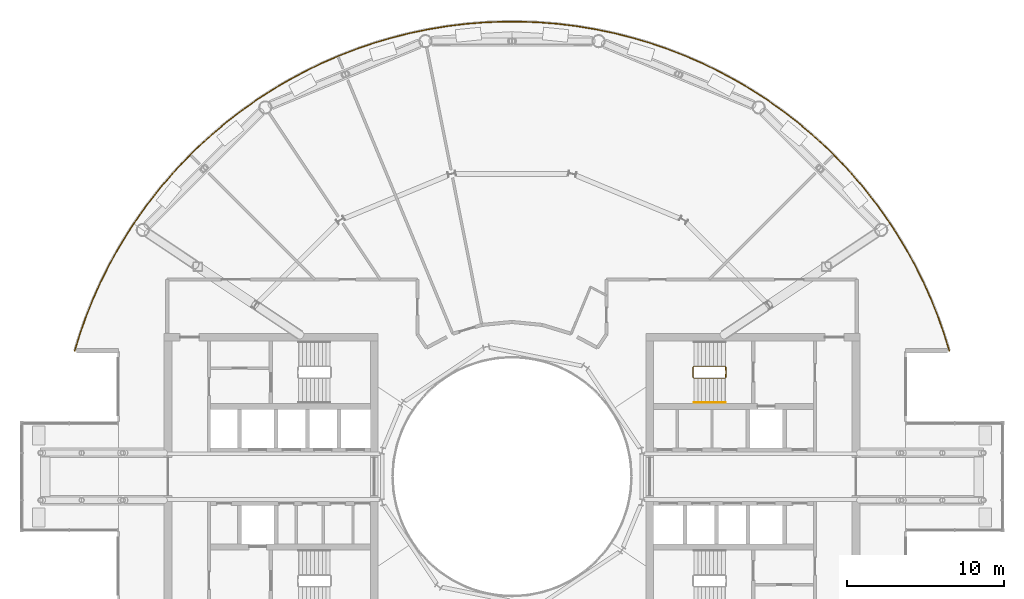
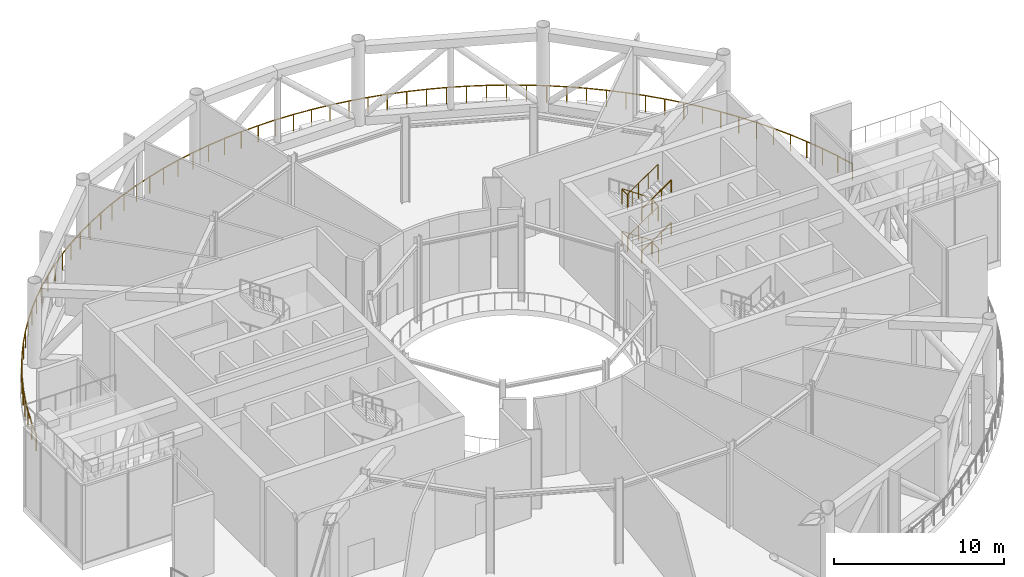
# One storey, part 23 of 24: 4 railings.
"""IFC4 building model written with IfcOpenShell, lengths in metres."""

from ifc_helpers import new_model, si_unit, direction, frame, origin, origin_2d, place, context, subcontext, project, spatial, circle, extrude, material, type_object, element, save


model = new_model("IFC4")

# Units and contexts
model_context = context("Model", 3, precision=1e-05, world=origin(), true_north=direction((0.0, 1.0)))
body_context = subcontext(model_context, "Body", "Model", "MODEL_VIEW")
ifc_project = project(units=[si_unit("LENGTHUNIT", "METRE"), si_unit("AREAUNIT", "SQUARE_METRE"), si_unit("VOLUMEUNIT", "CUBIC_METRE"), si_unit("PLANEANGLEUNIT", "RADIAN"), si_unit("MASSUNIT", "GRAM", prefix="KILO")], contexts=[model_context])

# Site, building, storey
site_placement = place(None, origin())
site = spatial("IfcSite", under=ifc_project, at=site_placement, CompositionType="ELEMENT")
building_placement = place(site_placement, origin())
building = spatial("IfcBuilding", under=site, at=building_placement, Name="Maasbend Ring Residences", CompositionType="ELEMENT")
storey_placement = place(building_placement, frame((0.0, 0.0, 179.89990234375)))
storey = spatial("IfcBuildingStorey", under=building, at=storey_placement, Name="L52", CompositionType="ELEMENT", Elevation=179.89990234375)

# Railings
ifc_material_1 = material(Name="Stainless steel 316 and glass", Category="steel")
railing_type_1 = type_object("IfcRailingType", Name="RL-GUARD", PredefinedType="GUARDRAIL", material=ifc_material_1)
railing_1_placement = place(storey_placement, frame((27.778564453125, 7.972412109375, 0.0)))
element("IfcRailing", 1, at=railing_1_placement, inside=storey, type_object=railing_type_1, Name="Garden guard outer 1", PredefinedType="GUARDRAIL", context=body_context, shape_type="SweptSolid", body=[
    extrude(circle(Radius=0.02490234375, at=origin_2d()), frame((0.0, 0.0, 1.1748046875), z_axis=(-0.295504624123, 0.95534130923, 0.0), x_axis=(-0.95534130923, -0.295504624123, 0.0)), (0.0, 0.0, 1.0), 1.184814453125),
    extrude(circle(Radius=0.02490234375, at=origin_2d()), frame((-0.35009765625, 1.1318359375, 1.1748046875), z_axis=(-0.334285842511, 0.94247173724, 0.0), x_axis=(-0.94247173724, -0.334285842511, 0.0)), (0.0, 0.0, 1.0), 1.1845703125),
    extrude(circle(Radius=0.02490234375, at=origin_2d()), frame((-0.74609375, 2.248291015625, 1.1748046875), z_axis=(-0.372847180885, 0.927892763042, 0.0), x_axis=(-0.927892763042, -0.372847180885, 0.0)), (0.0, 0.0, 1.0), 1.1845703125),
    extrude(circle(Radius=0.02490234375, at=origin_2d()), frame((-1.187744140625, 3.347412109375, 1.1748046875), z_axis=(-0.410493199792, 0.911863659175, 0.0), x_axis=(-0.911863659175, -0.410493199792, 0.0)), (0.0, 0.0, 1.0), 1.184814453125),
    extrude(circle(Radius=0.02490234375, at=origin_2d()), frame((-1.674072265625, 4.427734375, 1.1748046875), z_axis=(-0.447460908245, 0.894303491882, 0.0), x_axis=(-0.894303491882, -0.447460908245, 0.0)), (0.0, 0.0, 1.0), 1.1845703125),
    extrude(circle(Radius=0.02490234375, at=origin_2d()), frame((-2.2041015625, 5.487060546875, 1.1748046875), z_axis=(-0.483839805506, 0.875156581766, 0.0), x_axis=(-0.875156581766, -0.483839805506, 0.0)), (0.0, 0.0, 1.0), 1.184814453125),
    extrude(circle(Radius=0.02490234375, at=origin_2d()), frame((-2.77734375, 6.52392578125, 1.1748046875), z_axis=(-0.51915559987, 0.854679743017, 0.0), x_axis=(-0.854679743017, -0.51915559987, 0.0)), (0.0, 0.0, 1.0), 1.1845703125),
    extrude(circle(Radius=0.02490234375, at=origin_2d()), frame((-3.392333984375, 7.536376953125, 1.1748046875), z_axis=(-0.553796190877, 0.832652255729, 0.0), x_axis=(-0.832652255729, -0.553796190877, 0.0)), (0.0, 0.0, 1.0), 1.1845703125),
    extrude(circle(Radius=0.02490234375, at=origin_2d()), frame((-4.04833984375, 8.522705078125, 1.1748046875), z_axis=(-0.58749759803, 0.809225909317, 0.0), x_axis=(-0.809225909317, -0.58749759803, 0.0)), (0.0, 0.0, 1.0), 1.184814453125),
    extrude(circle(Radius=0.02490234375, at=origin_2d()), frame((-4.744384765625, 9.4814453125, 1.1748046875), z_axis=(-0.620185444157, 0.78445523445, 0.0), x_axis=(-0.78445523445, -0.620185444157, 0.0)), (0.0, 0.0, 1.0), 1.1845703125),
    extrude(circle(Radius=0.02490234375, at=origin_2d()), frame((-5.47900390625, 10.41064453125, 1.1748046875), z_axis=(-0.65182600946, 0.758368547206, 0.0), x_axis=(-0.758368547206, -0.65182600946, 0.0)), (0.0, 0.0, 1.0), 1.184814453125),
    extrude(circle(Radius=0.02490234375, at=origin_2d()), frame((-6.251220703125, 11.30908203125, 1.1748046875), z_axis=(-0.682156690758, 0.731206023809, 0.0), x_axis=(-0.731206023809, -0.682156690758, 0.0)), (0.0, 0.0, 1.0), 1.1845703125),
    extrude(circle(Radius=0.02490234375, at=origin_2d()), frame((-7.059326171875, 12.17529296875, 1.1748046875), z_axis=(-0.711830937603, 0.702350849841, 0.0), x_axis=(-0.702350849841, -0.711830937603, 0.0)), (0.0, 0.0, 1.0), 1.1845703125),
    extrude(circle(Radius=0.02490234375, at=origin_2d()), frame((-7.902587890625, 13.00732421875, 1.1748046875), z_axis=(-0.739800189204, 0.672826634471, 0.0), x_axis=(-0.672826634471, -0.739800189204, 0.0)), (0.0, 0.0, 1.0), 1.184814453125),
    extrude(circle(Radius=0.02490234375, at=origin_2d()), frame((-8.779052734375, 13.804443359375, 1.1748046875), z_axis=(-0.766885051085, 0.641784479731, 0.0), x_axis=(-0.641784479731, -0.766885051085, 0.0)), (0.0, 0.0, 1.0), 1.1845703125),
    extrude(circle(Radius=0.02490234375, at=origin_2d()), frame((-9.6875, 14.564697265625, 1.1748046875), z_axis=(-0.792493715501, 0.609880079107, 0.0), x_axis=(-0.609880079107, -0.792493715501, 0.0)), (0.0, 0.0, 1.0), 1.1845703125),
    extrude(circle(Radius=0.02490234375, at=origin_2d()), frame((-10.626220703125, 15.287109375, 1.1748046875), z_axis=(-0.816785089041, 0.576942040695, 0.0), x_axis=(-0.576942040695, -0.816785089041, 0.0)), (0.0, 0.0, 1.0), 1.184814453125),
    extrude(circle(Radius=0.02490234375, at=origin_2d()), frame((-11.593994140625, 15.970703125, 1.1748046875), z_axis=(-0.839829939632, 0.542849585519, 0.0), x_axis=(-0.542849585519, -0.839829939632, 0.0)), (0.0, 0.0, 1.0), 1.1845703125),
    extrude(circle(Radius=0.02490234375, at=origin_2d()), frame((-12.5888671875, 16.61376953125, 1.1748046875), z_axis=(-0.861324276781, 0.508055597575, 0.0), x_axis=(-0.508055597575, -0.861324276781, 0.0)), (0.0, 0.0, 1.0), 1.1845703125),
    extrude(circle(Radius=0.02490234375, at=origin_2d()), frame((-13.609130859375, 17.215576171875, 1.1748046875), z_axis=(-0.881415624836, 0.472341503887, 0.0), x_axis=(-0.472341503887, -0.881415624836, 0.0)), (0.0, 0.0, 1.0), 1.1845703125),
    extrude(circle(Radius=0.02490234375, at=origin_2d()), frame((-14.6533203125, 17.775146484375, 1.1748046875), z_axis=(-0.900002799964, 0.435884113104, 0.0), x_axis=(-0.435884113104, -0.900002799964, 0.0)), (0.0, 0.0, 1.0), 1.1845703125),
    extrude(circle(Radius=0.02490234375, at=origin_2d()), frame((-15.719482421875, 18.29150390625, 1.1748046875), z_axis=(-0.917129024526, 0.398590456951, 0.0), x_axis=(-0.398590456951, -0.917129024526, 0.0)), (0.0, 0.0, 1.0), 1.1845703125),
    extrude(circle(Radius=0.02490234375, at=origin_2d()), frame((-16.805908203125, 18.763671875, 1.1748046875), z_axis=(-0.932706782024, 0.360635631582, 0.0), x_axis=(-0.360635631582, -0.932706782024, 0.0)), (0.0, 0.0, 1.0), 1.184814453125),
    extrude(circle(Radius=0.02490234375, at=origin_2d()), frame((-17.910888671875, 19.19091796875, 1.1748046875), z_axis=(-0.946770232419, 0.321910122559, 0.0), x_axis=(-0.321910122559, -0.946770232419, 0.0)), (0.0, 0.0, 1.0), 1.1845703125),
    extrude(circle(Radius=0.02490234375, at=origin_2d()), frame((-19.032470703125, 19.572265625, 1.1748046875), z_axis=(-0.959076230705, 0.283147989039, 0.0), x_axis=(-0.283147989039, -0.959076230705, 0.0)), (0.0, 0.0, 1.0), 1.184814453125),
    extrude(circle(Radius=0.02490234375, at=origin_2d()), frame((-20.168701171875, 19.90771484375, 1.1748046875), z_axis=(-0.969923880017, 0.243408436528, 0.0), x_axis=(-0.243408436528, -0.969923880017, 0.0)), (0.0, 0.0, 1.0), 1.1845703125),
    extrude(circle(Radius=0.02490234375, at=origin_2d()), frame((-21.317626953125, 20.196044921875, 1.1748046875), z_axis=(-0.979054075839, 0.203600384536, 0.0), x_axis=(-0.203600384536, -0.979054075839, 0.0)), (0.0, 0.0, 1.0), 1.184814453125),
    extrude(circle(Radius=0.02490234375, at=origin_2d()), frame((-22.4775390625, 20.437255859375, 1.1748046875), z_axis=(-0.986588187234, 0.163229129787, 0.0), x_axis=(-0.163229129787, -0.986588187234, 0.0)), (0.0, 0.0, 1.0), 1.1845703125),
    extrude(circle(Radius=0.02490234375, at=origin_2d()), frame((-23.646240234375, 20.630615234375, 1.1748046875), z_axis=(-0.992454401235, 0.122614279222, 0.0), x_axis=(-0.122614279222, -0.992454401235, 0.0)), (0.0, 0.0, 1.0), 1.184814453125),
    extrude(circle(Radius=0.02490234375, at=origin_2d()), frame((-24.822021484375, 20.77587890625, 1.1748046875), z_axis=(-0.996630509683, 0.082022113907, 0.0), x_axis=(-0.082022113907, -0.996630509683, 0.0)), (0.0, 0.0, 1.0), 1.1845703125),
    extrude(circle(Radius=0.02490234375, at=origin_2d()), frame((-26.002685546875, 20.873046875, 1.1748046875), z_axis=(-0.999158599932, 0.041013317118, 0.0), x_axis=(-0.041013317118, -0.999158599932, 0.0)), (0.0, 0.0, 1.0), 1.1845703125),
    extrude(circle(Radius=0.02490234375, at=origin_2d()), frame((-27.186279296875, 20.921630859375, 1.1748046875), z_axis=(-1.0, 0.0, 0.0), x_axis=(0.0, -1.0, 0.0)), (0.0, 0.0, 1.0), 1.1845703125),
    extrude(circle(Radius=0.02490234375, at=origin_2d()), frame((-28.370849609375, 20.921630859375, 1.1748046875), z_axis=(-0.999158599932, -0.041013317118, 0.0), x_axis=(0.041013317118, -0.999158599932, 0.0)), (0.0, 0.0, 1.0), 1.1845703125),
    extrude(circle(Radius=0.02490234375, at=origin_2d()), frame((-29.554443359375, 20.873046875, 1.1748046875), z_axis=(-0.996630509683, -0.082022113907, 0.0), x_axis=(0.082022113907, -0.996630509683, 0.0)), (0.0, 0.0, 1.0), 1.1845703125),
    extrude(circle(Radius=0.02490234375, at=origin_2d()), frame((-30.735107421875, 20.77587890625, 1.1748046875), z_axis=(-0.992454401235, -0.122614279222, 0.0), x_axis=(0.122614279222, -0.992454401235, 0.0)), (0.0, 0.0, 1.0), 1.184814453125),
    extrude(circle(Radius=0.02490234375, at=origin_2d()), frame((-31.910888671875, 20.630615234375, 1.1748046875), z_axis=(-0.986588187234, -0.163229129787, 0.0), x_axis=(0.163229129787, -0.986588187234, 0.0)), (0.0, 0.0, 1.0), 1.1845703125),
    extrude(circle(Radius=0.02490234375, at=origin_2d()), frame((-33.07958984375, 20.437255859375, 1.1748046875), z_axis=(-0.979054075839, -0.203600384536, 0.0), x_axis=(0.203600384536, -0.979054075839, 0.0)), (0.0, 0.0, 1.0), 1.184814453125),
    extrude(circle(Radius=0.02490234375, at=origin_2d()), frame((-34.239501953125, 20.196044921875, 1.1748046875), z_axis=(-0.969923880017, -0.243408436528, 0.0), x_axis=(0.243408436528, -0.969923880017, 0.0)), (0.0, 0.0, 1.0), 1.1845703125),
    extrude(circle(Radius=0.02490234375, at=origin_2d()), frame((-35.388427734375, 19.90771484375, 1.1748046875), z_axis=(-0.959076230705, -0.283147989039, 0.0), x_axis=(0.283147989039, -0.959076230705, 0.0)), (0.0, 0.0, 1.0), 1.184814453125),
    extrude(circle(Radius=0.02490234375, at=origin_2d()), frame((-36.524658203125, 19.572265625, 1.1748046875), z_axis=(-0.946770232419, -0.321910122559, 0.0), x_axis=(0.321910122559, -0.946770232419, 0.0)), (0.0, 0.0, 1.0), 1.1845703125),
    extrude(circle(Radius=0.02490234375, at=origin_2d()), frame((-37.646240234375, 19.19091796875, 1.1748046875), z_axis=(-0.932706782024, -0.360635631582, 0.0), x_axis=(0.360635631582, -0.932706782024, 0.0)), (0.0, 0.0, 1.0), 1.184814453125),
    extrude(circle(Radius=0.02490234375, at=origin_2d()), frame((-38.751220703125, 18.763671875, 1.1748046875), z_axis=(-0.917129024526, -0.398590456951, 0.0), x_axis=(0.398590456951, -0.917129024526, 0.0)), (0.0, 0.0, 1.0), 1.1845703125),
    extrude(circle(Radius=0.02490234375, at=origin_2d()), frame((-39.837646484375, 18.29150390625, 1.1748046875), z_axis=(-0.900002799964, -0.435884113104, 0.0), x_axis=(0.435884113104, -0.900002799964, 0.0)), (0.0, 0.0, 1.0), 1.1845703125),
    extrude(circle(Radius=0.02490234375, at=origin_2d()), frame((-40.90380859375, 17.775146484375, 1.1748046875), z_axis=(-0.881415624836, -0.472341503887, 0.0), x_axis=(0.472341503887, -0.881415624836, 0.0)), (0.0, 0.0, 1.0), 1.1845703125),
    extrude(circle(Radius=0.02490234375, at=origin_2d()), frame((-41.947998046875, 17.215576171875, 1.1748046875), z_axis=(-0.861324276781, -0.508055597575, 0.0), x_axis=(0.508055597575, -0.861324276781, 0.0)), (0.0, 0.0, 1.0), 1.1845703125),
    extrude(circle(Radius=0.02490234375, at=origin_2d()), frame((-42.96826171875, 16.61376953125, 1.1748046875), z_axis=(-0.839829939632, -0.542849585519, 0.0), x_axis=(0.542849585519, -0.839829939632, 0.0)), (0.0, 0.0, 1.0), 1.1845703125),
    extrude(circle(Radius=0.02490234375, at=origin_2d()), frame((-43.963134765625, 15.970703125, 1.1748046875), z_axis=(-0.816785089041, -0.576942040695, 0.0), x_axis=(0.576942040695, -0.816785089041, 0.0)), (0.0, 0.0, 1.0), 1.184814453125),
    extrude(circle(Radius=0.02490234375, at=origin_2d()), frame((-44.930908203125, 15.287109375, 1.1748046875), z_axis=(-0.792493715501, -0.609880079107, 0.0), x_axis=(0.609880079107, -0.792493715501, 0.0)), (0.0, 0.0, 1.0), 1.1845703125),
    extrude(circle(Radius=0.02490234375, at=origin_2d()), frame((-45.86962890625, 14.564697265625, 1.1748046875), z_axis=(-0.766885051085, -0.641784479731, 0.0), x_axis=(0.641784479731, -0.766885051085, 0.0)), (0.0, 0.0, 1.0), 1.1845703125),
    extrude(circle(Radius=0.02490234375, at=origin_2d()), frame((-46.778076171875, 13.804443359375, 1.1748046875), z_axis=(-0.739800189204, -0.672826634471, 0.0), x_axis=(0.672826634471, -0.739800189204, 0.0)), (0.0, 0.0, 1.0), 1.184814453125),
    extrude(circle(Radius=0.02490234375, at=origin_2d()), frame((-47.654541015625, 13.00732421875, 1.1748046875), z_axis=(-0.711830937603, -0.702350849841, 0.0), x_axis=(0.702350849841, -0.711830937603, 0.0)), (0.0, 0.0, 1.0), 1.1845703125),
    extrude(circle(Radius=0.02490234375, at=origin_2d()), frame((-48.497802734375, 12.17529296875, 1.1748046875), z_axis=(-0.682156690758, -0.731206023809, 0.0), x_axis=(0.731206023809, -0.682156690758, 0.0)), (0.0, 0.0, 1.0), 1.1845703125),
    extrude(circle(Radius=0.02490234375, at=origin_2d()), frame((-49.305908203125, 11.30908203125, 1.1748046875), z_axis=(-0.65182600946, -0.758368547206, 0.0), x_axis=(0.758368547206, -0.65182600946, 0.0)), (0.0, 0.0, 1.0), 1.184814453125),
    extrude(circle(Radius=0.02490234375, at=origin_2d()), frame((-50.078125, 10.41064453125, 1.1748046875), z_axis=(-0.620185444157, -0.78445523445, 0.0), x_axis=(0.78445523445, -0.620185444157, 0.0)), (0.0, 0.0, 1.0), 1.1845703125),
    extrude(circle(Radius=0.02490234375, at=origin_2d()), frame((-50.812744140625, 9.4814453125, 1.1748046875), z_axis=(-0.58749759803, -0.809225909317, 0.0), x_axis=(0.809225909317, -0.58749759803, 0.0)), (0.0, 0.0, 1.0), 1.184814453125),
    extrude(circle(Radius=0.02490234375, at=origin_2d()), frame((-51.5087890625, 8.522705078125, 1.1748046875), z_axis=(-0.553796190877, -0.832652255729, 0.0), x_axis=(0.832652255729, -0.553796190877, 0.0)), (0.0, 0.0, 1.0), 1.1845703125),
    extrude(circle(Radius=0.02490234375, at=origin_2d()), frame((-52.164794921875, 7.536376953125, 1.1748046875), z_axis=(-0.51915559987, -0.854679743017, 0.0), x_axis=(0.854679743017, -0.51915559987, 0.0)), (0.0, 0.0, 1.0), 1.1845703125),
    extrude(circle(Radius=0.02490234375, at=origin_2d()), frame((-52.77978515625, 6.52392578125, 1.1748046875), z_axis=(-0.483839805506, -0.875156581766, 0.0), x_axis=(0.875156581766, -0.483839805506, 0.0)), (0.0, 0.0, 1.0), 1.184814453125),
    extrude(circle(Radius=0.02490234375, at=origin_2d()), frame((-53.35302734375, 5.487060546875, 1.1748046875), z_axis=(-0.447460908245, -0.894303491882, 0.0), x_axis=(0.894303491882, -0.447460908245, 0.0)), (0.0, 0.0, 1.0), 1.1845703125),
    extrude(circle(Radius=0.02490234375, at=origin_2d()), frame((-53.883056640625, 4.427734375, 1.1748046875), z_axis=(-0.410493199792, -0.911863659175, 0.0), x_axis=(0.911863659175, -0.410493199792, 0.0)), (0.0, 0.0, 1.0), 1.184814453125),
    extrude(circle(Radius=0.02490234375, at=origin_2d()), frame((-54.369384765625, 3.347412109375, 1.1748046875), z_axis=(-0.372847180885, -0.927892763042, 0.0), x_axis=(0.927892763042, -0.372847180885, 0.0)), (0.0, 0.0, 1.0), 1.1845703125),
    extrude(circle(Radius=0.02490234375, at=origin_2d()), frame((-54.81103515625, 2.248291015625, 1.1748046875), z_axis=(-0.334285842511, -0.94247173724, 0.0), x_axis=(0.94247173724, -0.334285842511, 0.0)), (0.0, 0.0, 1.0), 1.1845703125),
    extrude(circle(Radius=0.02490234375, at=origin_2d()), frame((-55.20703125, 1.1318359375, 1.1748046875), z_axis=(-0.295504624123, -0.95534130923, 0.0), x_axis=(0.95534130923, -0.295504624123, 0.0)), (0.0, 0.0, 1.0), 1.184814453125),
    extrude(circle(Radius=0.02001953125, at=origin_2d()), origin(), (0.0, 0.0, 1.0), 1.14990234375),
    extrude(circle(Radius=0.02001953125, at=origin_2d()), frame((-0.35009765625, 1.1318359375, 0.0)), (0.0, 0.0, 1.0), 1.14990234375),
    extrude(circle(Radius=0.02001953125, at=origin_2d()), frame((-0.74609375, 2.248291015625, 0.0)), (0.0, 0.0, 1.0), 1.14990234375),
    extrude(circle(Radius=0.02001953125, at=origin_2d()), frame((-1.187744140625, 3.347412109375, 0.0)), (0.0, 0.0, 1.0), 1.14990234375),
    extrude(circle(Radius=0.02001953125, at=origin_2d()), frame((-1.674072265625, 4.427734375, 0.0)), (0.0, 0.0, 1.0), 1.14990234375),
    extrude(circle(Radius=0.02001953125, at=origin_2d()), frame((-2.2041015625, 5.487060546875, 0.0)), (0.0, 0.0, 1.0), 1.14990234375),
    extrude(circle(Radius=0.02001953125, at=origin_2d()), frame((-2.77734375, 6.52392578125, 0.0)), (0.0, 0.0, 1.0), 1.14990234375),
    extrude(circle(Radius=0.02001953125, at=origin_2d()), frame((-3.392333984375, 7.536376953125, 0.0)), (0.0, 0.0, 1.0), 1.14990234375),
    extrude(circle(Radius=0.02001953125, at=origin_2d()), frame((-4.04833984375, 8.522705078125, 0.0)), (0.0, 0.0, 1.0), 1.14990234375),
    extrude(circle(Radius=0.02001953125, at=origin_2d()), frame((-4.744384765625, 9.4814453125, 0.0)), (0.0, 0.0, 1.0), 1.14990234375),
    extrude(circle(Radius=0.02001953125, at=origin_2d()), frame((-5.47900390625, 10.41064453125, 0.0)), (0.0, 0.0, 1.0), 1.14990234375),
    extrude(circle(Radius=0.02001953125, at=origin_2d()), frame((-6.251220703125, 11.30908203125, 0.0)), (0.0, 0.0, 1.0), 1.14990234375),
    extrude(circle(Radius=0.02001953125, at=origin_2d()), frame((-7.059326171875, 12.17529296875, 0.0)), (0.0, 0.0, 1.0), 1.14990234375),
    extrude(circle(Radius=0.02001953125, at=origin_2d()), frame((-7.902587890625, 13.00732421875, 0.0)), (0.0, 0.0, 1.0), 1.14990234375),
    extrude(circle(Radius=0.02001953125, at=origin_2d()), frame((-8.779052734375, 13.804443359375, 0.0)), (0.0, 0.0, 1.0), 1.14990234375),
    extrude(circle(Radius=0.02001953125, at=origin_2d()), frame((-9.6875, 14.564697265625, 0.0)), (0.0, 0.0, 1.0), 1.14990234375),
    extrude(circle(Radius=0.02001953125, at=origin_2d()), frame((-10.626220703125, 15.287109375, 0.0)), (0.0, 0.0, 1.0), 1.14990234375),
    extrude(circle(Radius=0.02001953125, at=origin_2d()), frame((-11.593994140625, 15.970703125, 0.0)), (0.0, 0.0, 1.0), 1.14990234375),
    extrude(circle(Radius=0.02001953125, at=origin_2d()), frame((-12.5888671875, 16.61376953125, 0.0)), (0.0, 0.0, 1.0), 1.14990234375),
    extrude(circle(Radius=0.02001953125, at=origin_2d()), frame((-13.609130859375, 17.215576171875, 0.0)), (0.0, 0.0, 1.0), 1.14990234375),
    extrude(circle(Radius=0.02001953125, at=origin_2d()), frame((-14.6533203125, 17.775146484375, 0.0)), (0.0, 0.0, 1.0), 1.14990234375),
    extrude(circle(Radius=0.02001953125, at=origin_2d()), frame((-15.719482421875, 18.29150390625, 0.0)), (0.0, 0.0, 1.0), 1.14990234375),
    extrude(circle(Radius=0.02001953125, at=origin_2d()), frame((-16.805908203125, 18.763671875, 0.0)), (0.0, 0.0, 1.0), 1.14990234375),
    extrude(circle(Radius=0.02001953125, at=origin_2d()), frame((-17.910888671875, 19.19091796875, 0.0)), (0.0, 0.0, 1.0), 1.14990234375),
    extrude(circle(Radius=0.02001953125, at=origin_2d()), frame((-19.032470703125, 19.572265625, 0.0)), (0.0, 0.0, 1.0), 1.14990234375),
    extrude(circle(Radius=0.02001953125, at=origin_2d()), frame((-20.168701171875, 19.90771484375, 0.0)), (0.0, 0.0, 1.0), 1.14990234375),
    extrude(circle(Radius=0.02001953125, at=origin_2d()), frame((-21.317626953125, 20.196044921875, 0.0)), (0.0, 0.0, 1.0), 1.14990234375),
    extrude(circle(Radius=0.02001953125, at=origin_2d()), frame((-22.4775390625, 20.437255859375, 0.0)), (0.0, 0.0, 1.0), 1.14990234375),
    extrude(circle(Radius=0.02001953125, at=origin_2d()), frame((-23.646240234375, 20.630615234375, 0.0)), (0.0, 0.0, 1.0), 1.14990234375),
    extrude(circle(Radius=0.02001953125, at=origin_2d()), frame((-24.822021484375, 20.77587890625, 0.0)), (0.0, 0.0, 1.0), 1.14990234375),
    extrude(circle(Radius=0.02001953125, at=origin_2d()), frame((-26.002685546875, 20.873046875, 0.0)), (0.0, 0.0, 1.0), 1.14990234375),
    extrude(circle(Radius=0.02001953125, at=origin_2d()), frame((-27.186279296875, 20.921630859375, 0.0)), (0.0, 0.0, 1.0), 1.14990234375),
    extrude(circle(Radius=0.02001953125, at=origin_2d()), frame((-28.370849609375, 20.921630859375, 0.0)), (0.0, 0.0, 1.0), 1.14990234375),
    extrude(circle(Radius=0.02001953125, at=origin_2d()), frame((-29.554443359375, 20.873046875, 0.0)), (0.0, 0.0, 1.0), 1.14990234375),
    extrude(circle(Radius=0.02001953125, at=origin_2d()), frame((-30.735107421875, 20.77587890625, 0.0)), (0.0, 0.0, 1.0), 1.14990234375),
    extrude(circle(Radius=0.02001953125, at=origin_2d()), frame((-31.910888671875, 20.630615234375, 0.0)), (0.0, 0.0, 1.0), 1.14990234375),
    extrude(circle(Radius=0.02001953125, at=origin_2d()), frame((-33.07958984375, 20.437255859375, 0.0)), (0.0, 0.0, 1.0), 1.14990234375),
    extrude(circle(Radius=0.02001953125, at=origin_2d()), frame((-34.239501953125, 20.196044921875, 0.0)), (0.0, 0.0, 1.0), 1.14990234375),
    extrude(circle(Radius=0.02001953125, at=origin_2d()), frame((-35.388427734375, 19.90771484375, 0.0)), (0.0, 0.0, 1.0), 1.14990234375),
    extrude(circle(Radius=0.02001953125, at=origin_2d()), frame((-36.524658203125, 19.572265625, 0.0)), (0.0, 0.0, 1.0), 1.14990234375),
    extrude(circle(Radius=0.02001953125, at=origin_2d()), frame((-37.646240234375, 19.19091796875, 0.0)), (0.0, 0.0, 1.0), 1.14990234375),
    extrude(circle(Radius=0.02001953125, at=origin_2d()), frame((-38.751220703125, 18.763671875, 0.0)), (0.0, 0.0, 1.0), 1.14990234375),
    extrude(circle(Radius=0.02001953125, at=origin_2d()), frame((-39.837646484375, 18.29150390625, 0.0)), (0.0, 0.0, 1.0), 1.14990234375),
    extrude(circle(Radius=0.02001953125, at=origin_2d()), frame((-40.90380859375, 17.775146484375, 0.0)), (0.0, 0.0, 1.0), 1.14990234375),
    extrude(circle(Radius=0.02001953125, at=origin_2d()), frame((-41.947998046875, 17.215576171875, 0.0)), (0.0, 0.0, 1.0), 1.14990234375),
    extrude(circle(Radius=0.02001953125, at=origin_2d()), frame((-42.96826171875, 16.61376953125, 0.0)), (0.0, 0.0, 1.0), 1.14990234375),
    extrude(circle(Radius=0.02001953125, at=origin_2d()), frame((-43.963134765625, 15.970703125, 0.0)), (0.0, 0.0, 1.0), 1.14990234375),
    extrude(circle(Radius=0.02001953125, at=origin_2d()), frame((-44.930908203125, 15.287109375, 0.0)), (0.0, 0.0, 1.0), 1.14990234375),
    extrude(circle(Radius=0.02001953125, at=origin_2d()), frame((-45.86962890625, 14.564697265625, 0.0)), (0.0, 0.0, 1.0), 1.14990234375),
    extrude(circle(Radius=0.02001953125, at=origin_2d()), frame((-46.778076171875, 13.804443359375, 0.0)), (0.0, 0.0, 1.0), 1.14990234375),
    extrude(circle(Radius=0.02001953125, at=origin_2d()), frame((-47.654541015625, 13.00732421875, 0.0)), (0.0, 0.0, 1.0), 1.14990234375),
    extrude(circle(Radius=0.02001953125, at=origin_2d()), frame((-48.497802734375, 12.17529296875, 0.0)), (0.0, 0.0, 1.0), 1.14990234375),
    extrude(circle(Radius=0.02001953125, at=origin_2d()), frame((-49.305908203125, 11.30908203125, 0.0)), (0.0, 0.0, 1.0), 1.14990234375),
    extrude(circle(Radius=0.02001953125, at=origin_2d()), frame((-50.078125, 10.41064453125, 0.0)), (0.0, 0.0, 1.0), 1.14990234375),
    extrude(circle(Radius=0.02001953125, at=origin_2d()), frame((-50.812744140625, 9.4814453125, 0.0)), (0.0, 0.0, 1.0), 1.14990234375),
    extrude(circle(Radius=0.02001953125, at=origin_2d()), frame((-51.5087890625, 8.522705078125, 0.0)), (0.0, 0.0, 1.0), 1.14990234375),
    extrude(circle(Radius=0.02001953125, at=origin_2d()), frame((-52.164794921875, 7.536376953125, 0.0)), (0.0, 0.0, 1.0), 1.14990234375),
    extrude(circle(Radius=0.02001953125, at=origin_2d()), frame((-52.77978515625, 6.52392578125, 0.0)), (0.0, 0.0, 1.0), 1.14990234375),
    extrude(circle(Radius=0.02001953125, at=origin_2d()), frame((-53.35302734375, 5.487060546875, 0.0)), (0.0, 0.0, 1.0), 1.14990234375),
    extrude(circle(Radius=0.02001953125, at=origin_2d()), frame((-53.883056640625, 4.427734375, 0.0)), (0.0, 0.0, 1.0), 1.14990234375),
    extrude(circle(Radius=0.02001953125, at=origin_2d()), frame((-54.369384765625, 3.347412109375, 0.0)), (0.0, 0.0, 1.0), 1.14990234375),
    extrude(circle(Radius=0.02001953125, at=origin_2d()), frame((-54.81103515625, 2.248291015625, 0.0)), (0.0, 0.0, 1.0), 1.14990234375),
    extrude(circle(Radius=0.02001953125, at=origin_2d()), frame((-55.20703125, 1.1318359375, 0.0)), (0.0, 0.0, 1.0), 1.14990234375),
    extrude(circle(Radius=0.02001953125, at=origin_2d()), frame((-55.55712890625, 0.0, 0.0)), (0.0, 0.0, 1.0), 1.14990234375),
])
ifc_material_2 = material(Name="Stainless steel 316", Category="steel")
railing_type_2 = type_object("IfcRailingType", Name="STAIR GUARD 1100", PredefinedType="GUARDRAIL", material=ifc_material_2)
railing_2_placement = place(storey_placement, frame((13.60009765625, 6.300048828125, 0.0)))
element("IfcRailing", 2, at=railing_2_placement, inside=storey, type_object=railing_type_2, Name="L52 ST-E1 stair guard 1", PredefinedType="GUARDRAIL", context=body_context, shape_type="SweptSolid", body=[
    extrude(circle(Radius=0.02392578125, at=origin_2d()), frame((0.0, 0.0, 1.076171875), z_axis=(0.0, 1.0, 0.0), x_axis=(-1.0, 0.0, 0.0)), (0.0, 0.0, 1.0), 0.64990234375),
    extrude(circle(Radius=0.02392578125, at=origin_2d()), frame((0.0, 0.64990234375, 1.076171875), z_axis=(-0.272562526181, 0.272562526181, 0.92272386912), x_axis=(-0.707106781187, -0.707106781187, 0.0)), (0.0, 0.0, 1.0), 0.18359375),
    extrude(circle(Radius=0.02392578125, at=origin_2d()), frame((-0.050048828125, 0.699951171875, 1.24560546875), z_axis=(-0.827750655447, 0.0, 0.561096116906), x_axis=(0.0, -1.0, 0.0)), (0.0, 0.0, 1.0), 2.416259765625),
    extrude(circle(Radius=0.02392578125, at=origin_2d()), frame((-2.050048828125, 0.699951171875, 2.60107421875), z_axis=(-0.707106781187, -0.707106781187, 0.0), x_axis=(0.707106781187, -0.707106781187, 0.0)), (0.0, 0.0, 1.0), 0.07080078125),
    extrude(circle(Radius=0.02392578125, at=origin_2d()), frame((-2.10009765625, 0.64990234375, 2.60107421875), z_axis=(0.0, -1.0, 0.0), x_axis=(1.0, 0.0, 0.0)), (0.0, 0.0, 1.0), 0.64990234375),
    extrude(circle(Radius=0.02392578125, at=origin_2d()), frame((-2.10009765625, 0.0, 2.60107421875), z_axis=(0.272562526181, -0.272562526181, 0.92272386912), x_axis=(0.707106781187, 0.707106781187, 0.0)), (0.0, 0.0, 1.0), 0.18359375),
    extrude(circle(Radius=0.02392578125, at=origin_2d()), frame((-2.050048828125, -0.050048828125, 2.7705078125), z_axis=(0.827797584762, 0.0, 0.561026878735), x_axis=(0.0, 1.0, 0.0)), (0.0, 0.0, 1.0), 2.416015625),
    extrude(circle(Radius=0.02392578125, at=origin_2d()), frame((-0.050048828125, -0.050048828125, 4.1259765625), z_axis=(0.071321223157, 0.997453398975, 0.0), x_axis=(-0.997453398975, 0.071321223157, 0.0)), (0.0, 0.0, 1.0), 0.70166015625),
    extrude(circle(Radius=0.02392578125, at=origin_2d()), frame((0.0, 0.64990234375, 4.1259765625), z_axis=(0.0, -1.0, 0.0), x_axis=(1.0, 0.0, 0.0)), (0.0, 0.0, 1.0), 0.64990234375),
    extrude(circle(Radius=0.02392578125, at=origin_2d()), frame((0.0, 0.0, 4.1259765625), z_axis=(-0.069328998915, 0.969591414091, 0.234704025594), x_axis=(-0.997453398975, -0.071321223157, 0.0)), (0.0, 0.0, 1.0), 0.721923828125),
    extrude(circle(Radius=0.02392578125, at=origin_2d()), frame((-0.050048828125, 0.699951171875, 4.29541015625), z_axis=(-0.827750655447, 0.0, 0.561096116906), x_axis=(0.0, -1.0, 0.0)), (0.0, 0.0, 1.0), 2.416259765625),
    extrude(circle(Radius=0.02392578125, at=origin_2d()), frame((-2.050048828125, 0.699951171875, 5.6513671875), z_axis=(-0.707106781187, -0.707106781187, 0.0), x_axis=(0.707106781187, -0.707106781187, 0.0)), (0.0, 0.0, 1.0), 0.07080078125),
    extrude(circle(Radius=0.02392578125, at=origin_2d()), frame((-2.10009765625, 0.64990234375, 5.6513671875), z_axis=(0.0, -1.0, 0.0), x_axis=(1.0, 0.0, 0.0)), (0.0, 0.0, 1.0), 0.64990234375),
    extrude(circle(Radius=0.02392578125, at=origin_2d()), frame((-2.10009765625, 0.0, 5.6513671875), z_axis=(0.272562526181, -0.272562526181, 0.92272386912), x_axis=(0.707106781187, 0.707106781187, 0.0)), (0.0, 0.0, 1.0), 0.18359375),
    extrude(circle(Radius=0.02392578125, at=origin_2d()), frame((-2.050048828125, -0.050048828125, 5.82080078125), z_axis=(0.827797584762, 0.0, 0.561026878735), x_axis=(0.0, 1.0, 0.0)), (0.0, 0.0, 1.0), 2.416015625),
    extrude(circle(Radius=0.02099609375, at=origin_2d()), origin(), (0.0, 0.0, 1.0), 1.052001953125),
    extrude(circle(Radius=0.02099609375, at=origin_2d()), frame((0.0, 0.64990234375, 0.0)), (0.0, 0.0, 1.0), 1.052001953125),
    extrude(circle(Radius=0.02099609375, at=origin_2d()), frame((-0.050048828125, 0.699951171875, 0.16943359375)), (0.0, 0.0, 1.0), 1.052001953125),
    extrude(circle(Radius=0.02099609375, at=origin_2d()), frame((-0.716796875, 0.699951171875, 0.621337890625)), (0.0, 0.0, 1.0), 1.052001953125),
    extrude(circle(Radius=0.02099609375, at=origin_2d()), frame((-1.38330078125, 0.699951171875, 1.0732421875)), (0.0, 0.0, 1.0), 1.052001953125),
    extrude(circle(Radius=0.02099609375, at=origin_2d()), frame((-2.050048828125, 0.699951171875, 1.525146484375)), (0.0, 0.0, 1.0), 1.052001953125),
    extrude(circle(Radius=0.02099609375, at=origin_2d()), frame((-2.10009765625, 0.64990234375, 1.525146484375)), (0.0, 0.0, 1.0), 1.052001953125),
    extrude(circle(Radius=0.02099609375, at=origin_2d()), frame((-2.10009765625, 0.0, 1.525146484375)), (0.0, 0.0, 1.0), 1.052001953125),
    extrude(circle(Radius=0.02099609375, at=origin_2d()), frame((-2.050048828125, -0.050048828125, 1.694580078125)), (0.0, 0.0, 1.0), 1.052001953125),
    extrude(circle(Radius=0.02099609375, at=origin_2d()), frame((-1.38330078125, -0.050048828125, 2.146484375)), (0.0, 0.0, 1.0), 1.052001953125),
    extrude(circle(Radius=0.02099609375, at=origin_2d()), frame((-0.716796875, -0.050048828125, 2.59814453125)), (0.0, 0.0, 1.0), 1.052001953125),
    extrude(circle(Radius=0.02099609375, at=origin_2d()), frame((-0.050048828125, -0.050048828125, 3.050048828125)), (0.0, 0.0, 1.0), 1.052001953125),
    extrude(circle(Radius=0.02099609375, at=origin_2d()), frame((0.0, 0.64990234375, 3.050048828125)), (0.0, 0.0, 1.0), 1.052001953125),
    extrude(circle(Radius=0.02099609375, at=origin_2d()), frame((0.0, 0.0, 3.050048828125)), (0.0, 0.0, 1.0), 1.052001953125),
    extrude(circle(Radius=0.02099609375, at=origin_2d()), frame((-0.050048828125, 0.699951171875, 3.219482421875)), (0.0, 0.0, 1.0), 1.052001953125),
    extrude(circle(Radius=0.02099609375, at=origin_2d()), frame((-0.716796875, 0.699951171875, 3.67138671875)), (0.0, 0.0, 1.0), 1.052001953125),
    extrude(circle(Radius=0.02099609375, at=origin_2d()), frame((-1.38330078125, 0.699951171875, 4.123291015625)), (0.0, 0.0, 1.0), 1.052001953125),
    extrude(circle(Radius=0.02099609375, at=origin_2d()), frame((-2.050048828125, 0.699951171875, 4.5751953125)), (0.0, 0.0, 1.0), 1.052001953125),
    extrude(circle(Radius=0.02099609375, at=origin_2d()), frame((-2.10009765625, 0.64990234375, 4.5751953125)), (0.0, 0.0, 1.0), 1.052001953125),
    extrude(circle(Radius=0.02099609375, at=origin_2d()), frame((-2.10009765625, 0.0, 4.5751953125)), (0.0, 0.0, 1.0), 1.052001953125),
    extrude(circle(Radius=0.02099609375, at=origin_2d()), frame((-2.050048828125, -0.050048828125, 4.74462890625)), (0.0, 0.0, 1.0), 1.052001953125),
    extrude(circle(Radius=0.02099609375, at=origin_2d()), frame((-1.38330078125, -0.050048828125, 5.196533203125)), (0.0, 0.0, 1.0), 1.052001953125),
    extrude(circle(Radius=0.02099609375, at=origin_2d()), frame((-0.716796875, -0.050048828125, 5.648193359375)), (0.0, 0.0, 1.0), 1.052001953125),
    extrude(circle(Radius=0.02099609375, at=origin_2d()), frame((-0.050048828125, -0.050048828125, 6.10009765625)), (0.0, 0.0, 1.0), 1.052001953125),
])
ifc_material_3 = material(Name="Stainless steel 316", Category="steel")
railing_type_3 = type_object("IfcRailingType", Name="STAIR HANDRAIL 900", PredefinedType="HANDRAIL", material=ifc_material_3)
for number, where, name in (
    (3, (11.550048828125, 4.699951171875, 1.694580078125), "L52 ST-E1 stair handrail 2"),
    (4, (11.550048828125, 4.699951171875, 4.74462890625), "L52 ST-E1 stair handrail 4"),
):
    element("IfcRailing", number, at=place(storey_placement, frame(where)), inside=storey, type_object=railing_type_3, Name=name, PredefinedType="HANDRAIL", context=body_context, shape_type="SweptSolid", body=[
        extrude(circle(Radius=0.02392578125, at=origin_2d()), frame((0.0, 0.0, 0.8759765625), z_axis=(0.827797584762, 0.0, 0.561026878735), x_axis=(0.0, 1.0, 0.0)), (0.0, 0.0, 1.0), 2.416015625),
        extrude(circle(Radius=0.02099609375, at=origin_2d()), origin(), (0.0, 0.0, 1.0), 0.851806640625),
        extrude(circle(Radius=0.02099609375, at=origin_2d()), frame((0.666748046875, 0.0, 0.451904296875)), (0.0, 0.0, 1.0), 0.851806640625),
        extrude(circle(Radius=0.02099609375, at=origin_2d()), frame((1.333251953125, 0.0, 0.903564453125)), (0.0, 0.0, 1.0), 0.851806640625),
        extrude(circle(Radius=0.02099609375, at=origin_2d()), frame((2.0, 0.0, 1.35546875)), (0.0, 0.0, 1.0), 0.851806640625),
    ])

save(model, "model.ifc")
